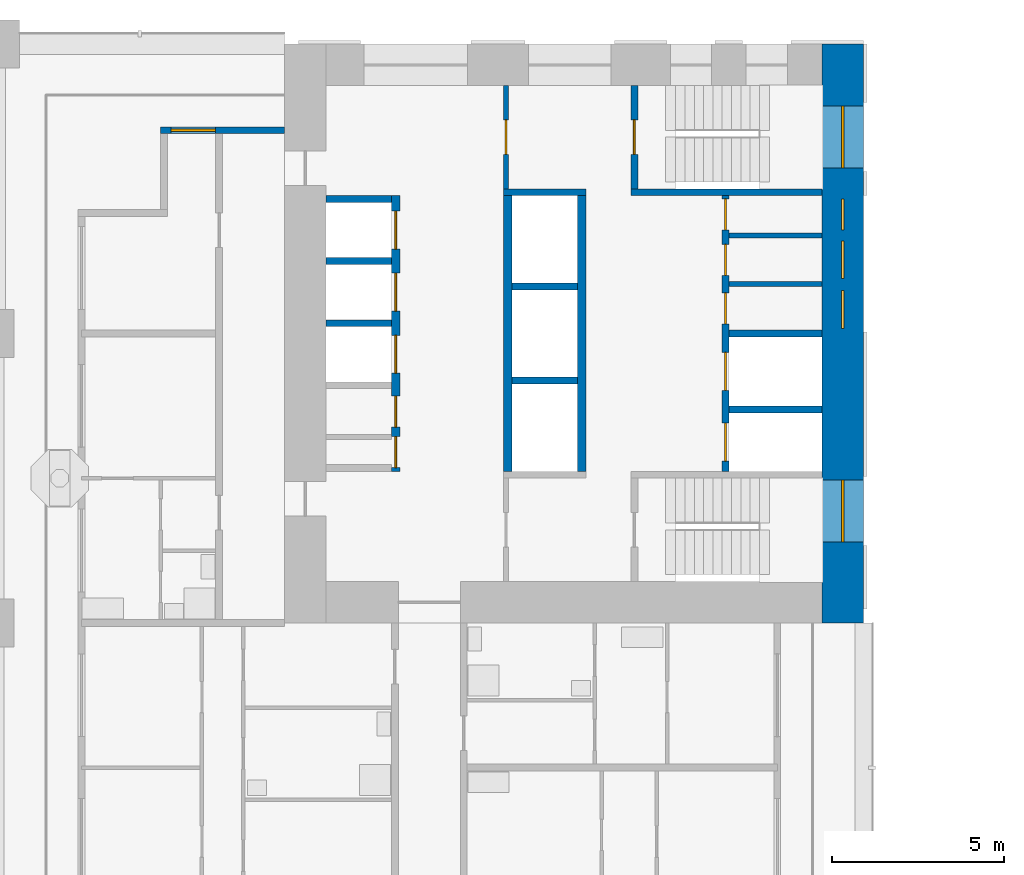
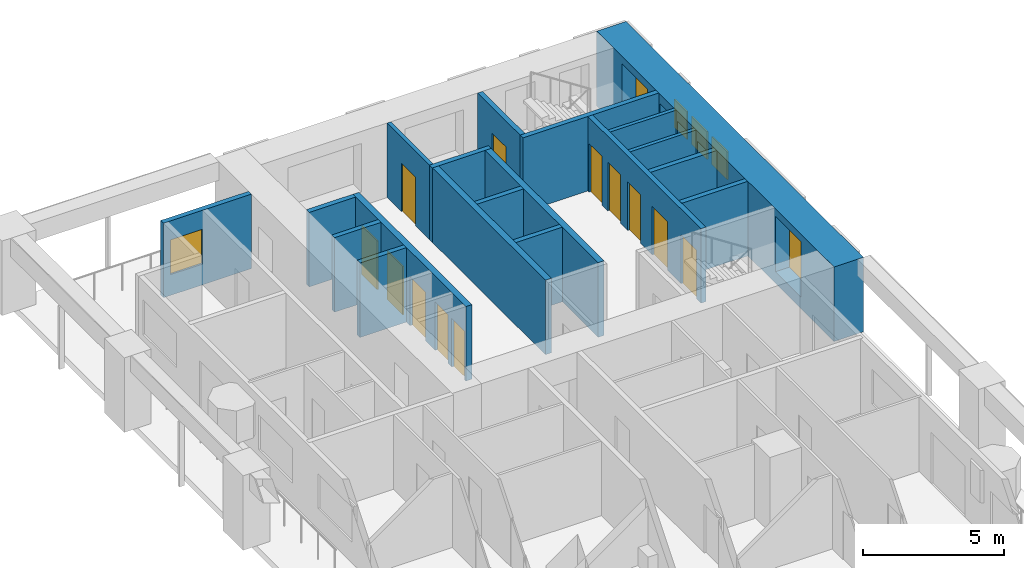
# One storey, part 10 of 22: 19 walls, 12 doors, 6 windows, 18 openings.
"""IFC4 building model written with IfcOpenShell, lengths in metres."""

from ifc_helpers import new_model, si_unit, direction, frame, frame_2d, origin, place, context, subcontext, project, spatial, rectangle, extrude, material, layer, layer_set, type_object, element, fill, save


model = new_model("IFC4")

# Units and contexts
model_context = context("Model", 3, precision=1e-05, world=origin(), true_north=direction((0.0, 1.0)))
body_context = subcontext(model_context, "Body", "Model", "MODEL_VIEW")
ifc_project = project(units=[si_unit("LENGTHUNIT", "METRE"), si_unit("AREAUNIT", "SQUARE_METRE"), si_unit("VOLUMEUNIT", "CUBIC_METRE"), si_unit("PLANEANGLEUNIT", "RADIAN"), si_unit("MASSUNIT", "GRAM", prefix="KILO")], contexts=[model_context])

# Site, building, storey
site_placement = place(None, origin())
site = spatial("IfcSite", under=ifc_project, at=site_placement, CompositionType="ELEMENT")
building_placement = place(site_placement, origin())
building = spatial("IfcBuilding", under=site, at=building_placement, Name="Vermilion Gate Residences", CompositionType="ELEMENT")
storey_placement = place(building_placement, frame((0.0, 0.0, 60.199951171875)))
storey = spatial("IfcBuildingStorey", under=building, at=storey_placement, Name="L14", CompositionType="ELEMENT", Elevation=60.199951171875)

# Walls
ifc_material_1 = material(Name="Masonry blockwork", Category="masonry")
ifc_layer_1 = layer(ifc_material_1, 0.14990234375)
ifc_layer_set_1 = layer_set([ifc_layer_1], Name="BLOCKWORK PARTITION 150 EI 120")
wall_type_1 = type_object("IfcWallType", Name="BLOCKWORK PARTITION 150 EI 120", PredefinedType="PARTITIONING", material=ifc_layer_set_1)
for number, where, z_axis, x_axis, name in (
    (1, (21.300048828125, 53.2451171875, 0.0), (0.0, 0.0, 1.0), (1.0, 0.0, 0.0), "Core room partition B14-NR-P0"),
    (2, (21.300048828125, 51.8349609375, 0.0), (0.0, 0.0, 1.0), (1.0, 0.0, 0.0), "Core room partition B14-NR-P1"),
):
    element("IfcWall", number, at=place(storey_placement, frame(where, z_axis=z_axis, x_axis=x_axis)), inside=storey, type_object=wall_type_1, Name=name, PredefinedType="PARTITIONING", context=body_context, shape_type="SweptSolid", body=[
        extrude(rectangle(XDim=2.699951171875, YDim=0.14990234375, at=frame_2d((1.35009765625, 0.0))), origin(), (0.0, 0.0, 1.0), 3.219970703125),
    ])

# Wall, opening, door
wall_1_placement = place(storey_placement, frame((14.824951171875, 57.60009765625, 0.0), z_axis=(0.0, 0.0, 1.0), x_axis=(0.0, -1.0, 0.0)))
wall_1 = element("IfcWall", 3, at=wall_1_placement, inside=storey, type_object=wall_type_1, Name="Core room partition B14-VW-S", PredefinedType="PARTITIONING", context=body_context, shape_type="SweptSolid", body=[
    extrude(rectangle(XDim=3.0, YDim=0.14990234375, at=frame_2d((1.5, 0.0))), origin(), (0.0, 0.0, 1.0), 3.219970703125),
])
opening_1_placement = place(wall_1_placement, frame((1.0, 0.0, 0.0)))
opening_1 = element("IfcOpeningElement", 4, at=opening_1_placement, cuts=wall_1, Name="Opening DK14114", PredefinedType="OPENING", context=body_context, shape_type="SweptSolid", body=[
    extrude(rectangle(XDim=1.0, YDim=2.10009765625, at=frame_2d((0.5, 1.050048828125))), frame((0.0, 0.0849609375, 0.0), z_axis=(0.0, -1.0, 0.0), x_axis=(1.0, 0.0, 0.0)), (0.0, 0.0, 1.0), 0.169921875),
])
ifc_material_2 = material(Name="Steel", Category="steel")
door_type_1 = type_object("IfcDoorType", Name="FIRE DOOR FD60 1000 X 2100", OperationType="SINGLE_SWING_LEFT", PredefinedType="DOOR", material=ifc_material_2)
door_1_placement = place(opening_1_placement, frame((1.0, 0.0, 0.0), z_axis=(0.0, 0.0, 1.0), x_axis=(-1.0, 0.0, 0.0)))
door_1 = element("IfcDoor", 5, at=door_1_placement, inside=storey, type_object=door_type_1, Name="Stair vestibule door B14", OperationType="SINGLE_SWING_RIGHT", OverallHeight=2.10009765625, OverallWidth=1.0, PredefinedType="DOOR", context=body_context, shape_type="SweptSolid", body=[
    extrude(rectangle(XDim=1.0, YDim=2.10009765625, at=frame_2d((0.5, 1.050048828125))), frame((0.0, 0.02490234375, 0.0), z_axis=(0.0, -1.0, 0.0), x_axis=(1.0, 0.0, 0.0)), (0.0, 0.0, 1.0), 0.050048828125),
])
fill(opening_1, door_1)

# Wall, opening, window
ifc_material_3 = material(Name="Insulated steel stud wall with terracotta rainscreen", Category="masonry")
ifc_layer_2 = layer(ifc_material_3, 0.199951171875)
ifc_layer_set_2 = layer_set([ifc_layer_2], Name="EXTERNAL WALL 200 TERRACOTTA RAINSCREEN")
wall_type_2 = type_object("IfcWallType", Name="EXTERNAL WALL 200 TERRACOTTA RAINSCREEN", PredefinedType="SOLIDWALL", material=ifc_layer_set_2)
wall_2_placement = place(storey_placement, frame((8.39990234375, 56.300048828125, 0.0), z_axis=(0.0, 0.0, 1.0), x_axis=(-1.0, 0.0, 0.0)))
wall_2 = element("IfcWall", 6, at=wall_2_placement, inside=storey, type_object=wall_type_2, Name="External wall", PredefinedType="SOLIDWALL", context=body_context, shape_type="SweptSolid", body=[
    extrude(rectangle(XDim=3.599853515625, YDim=0.199951171875, at=frame_2d((1.7998046875, 0.0))), origin(), (0.0, 0.0, 1.0), 3.219970703125),
])
opening_2_placement = place(wall_2_placement, frame((2.0, 0.0, 0.89990234375)))
opening_2 = element("IfcOpeningElement", 7, at=opening_2_placement, cuts=wall_2, Name="Opening WE14001", PredefinedType="OPENING", context=body_context, shape_type="SweptSolid", body=[
    extrude(rectangle(XDim=1.300048828125, YDim=1.5, at=frame_2d((0.64990234375, 0.75))), frame((0.0, 0.10986328125, 0.0), z_axis=(0.0, -1.0, 0.0), x_axis=(1.0, 0.0, 0.0)), (0.0, 0.0, 1.0), 0.219970703125),
])
ifc_material_4 = material(Name="Aluminium and clear glass", Category="aluminium")
window_type_1 = type_object("IfcWindowType", Name="WINDOW 1300 X 1500", PartitioningType="SINGLE_PANEL", PredefinedType="WINDOW", material=ifc_material_4)
window_1_placement = place(opening_2_placement, origin())
window_1 = element("IfcWindow", 8, at=window_1_placement, inside=storey, type_object=window_type_1, Name="Window", OverallHeight=1.5, OverallWidth=1.300048828125, PartitioningType="SINGLE_PANEL", PredefinedType="WINDOW", context=body_context, shape_type="SweptSolid", body=[
    extrude(rectangle(XDim=1.300048828125, YDim=1.5, at=frame_2d((0.64990234375, 0.75))), frame((0.0, 0.030029296875, 0.0), z_axis=(0.0, -1.0, 0.0), x_axis=(1.0, 0.0, 0.0)), (0.0, 0.0, 1.0), 0.06005859375),
])
fill(opening_2, window_1)

# Walls
ifc_material_5 = material(Name="Concrete C60", Category="concrete")
ifc_layer_3 = layer(ifc_material_5, 0.199951171875)
ifc_layer_set_3 = layer_set([ifc_layer_3], Name="RC CORE INTERNAL WALL 200 C60")
wall_type_3 = type_object("IfcWallType", Name="RC CORE INTERNAL WALL 200 C60", PredefinedType="SHEAR", material=ifc_layer_set_3)
for number, where, z_axis, x_axis, name in (
    (9, (9.60009765625, 54.300048828125, 0.0), (0.0, 0.0, 1.0), (1.0, 0.0, 0.0), "Core internal wall B14-LR-D0"),
    (10, (9.60009765625, 52.5, 0.0), (0.0, 0.0, 1.0), (1.0, 0.0, 0.0), "Core internal wall B14-LR-D1"),
    (11, (9.60009765625, 50.699951171875, 0.0), (0.0, 0.0, 1.0), (1.0, 0.0, 0.0), "Core internal wall B14-LR-D2"),
    (12, (15.0, 51.7666015625, 0.0), (0.0, 0.0, 1.0), (1.0, 0.0, 0.0), "Core internal wall B14-HR-D1"),
    (13, (15.0, 49.033447265625, 0.0), (0.0, 0.0, 1.0), (1.0, 0.0, 0.0), "Core internal wall B14-HR-D2"),
):
    element("IfcWall", number, at=place(storey_placement, frame(where, z_axis=z_axis, x_axis=x_axis)), inside=storey, type_object=wall_type_3, Name=name, PredefinedType="SHEAR", context=body_context, shape_type="SweptSolid", body=[
        extrude(rectangle(XDim=1.89990234375, YDim=0.199951171875, at=frame_2d((0.949951171875, 0.0))), origin(), (0.0, 0.0, 1.0), 3.219970703125),
    ])
for number, where, z_axis, x_axis, name in (
    (14, (21.300048828125, 50.39990234375, 0.0), (0.0, 0.0, 1.0), (1.0, 0.0, 0.0), "Core internal wall B14-FF-D0"),
    (15, (21.300048828125, 48.199951171875, 0.0), (0.0, 0.0, 1.0), (1.0, 0.0, 0.0), "Core internal wall B14-FF-D1"),
):
    element("IfcWall", number, at=place(storey_placement, frame(where, z_axis=z_axis, x_axis=x_axis)), inside=storey, type_object=wall_type_3, Name=name, PredefinedType="SHEAR", context=body_context, shape_type="SweptSolid", body=[
        extrude(rectangle(XDim=2.699951171875, YDim=0.199951171875, at=frame_2d((1.35009765625, 0.0))), origin(), (0.0, 0.0, 1.0), 3.219970703125),
    ])

# Wall, openings, doors
wall_3_placement = place(storey_placement, frame((21.199951171875, 54.39990234375, 0.0), z_axis=(0.0, 0.0, 1.0), x_axis=(0.0, -1.0, 0.0)))
wall_3 = element("IfcWall", 16, at=wall_3_placement, inside=storey, type_object=wall_type_3, Name="Core internal wall B14-FF-F", PredefinedType="SHEAR", context=body_context, shape_type="SweptSolid", body=[
    extrude(rectangle(XDim=8.0, YDim=0.199951171875, at=frame_2d((4.0, 0.0))), origin(), (0.0, 0.0, 1.0), 3.219970703125),
])
opening_3_placement = place(wall_3_placement, frame((0.090087890625, 0.0, 0.0)))
opening_3 = element("IfcOpeningElement", 17, at=opening_3_placement, cuts=wall_3, Name="Opening DK14109", PredefinedType="OPENING", context=body_context, shape_type="SweptSolid", body=[
    extrude(rectangle(XDim=0.89990234375, YDim=2.10009765625, at=frame_2d((0.449951171875, 1.050048828125))), frame((0.0, 0.10986328125, 0.0), z_axis=(0.0, -1.0, 0.0), x_axis=(1.0, 0.0, 0.0)), (0.0, 0.0, 1.0), 0.219970703125),
])
opening_4_placement = place(wall_3_placement, frame((1.409912109375, 0.0, 0.0)))
opening_4 = element("IfcOpeningElement", 18, at=opening_4_placement, cuts=wall_3, Name="Opening DK14110", PredefinedType="OPENING", context=body_context, shape_type="SweptSolid", body=[
    extrude(rectangle(XDim=0.89990234375, YDim=2.10009765625, at=frame_2d((0.449951171875, 1.050048828125))), frame((0.0, 0.10986328125, 0.0), z_axis=(0.0, -1.0, 0.0), x_axis=(1.0, 0.0, 0.0)), (0.0, 0.0, 1.0), 0.219970703125),
])
opening_5_placement = place(wall_3_placement, frame((2.820068359375, 0.0, 0.0)))
opening_5 = element("IfcOpeningElement", 19, at=opening_5_placement, cuts=wall_3, Name="Opening DK14111", PredefinedType="OPENING", context=body_context, shape_type="SweptSolid", body=[
    extrude(rectangle(XDim=0.89990234375, YDim=2.10009765625, at=frame_2d((0.449951171875, 1.050048828125))), frame((0.0, 0.10986328125, 0.0), z_axis=(0.0, -1.0, 0.0), x_axis=(1.0, 0.0, 0.0)), (0.0, 0.0, 1.0), 0.219970703125),
])
opening_6_placement = place(wall_3_placement, frame((4.550048828125, 0.0, 0.0)))
opening_6 = element("IfcOpeningElement", 20, at=opening_6_placement, cuts=wall_3, Name="Opening LD", PredefinedType="OPENING", context=body_context, shape_type="SweptSolid", body=[
    extrude(rectangle(XDim=1.10009765625, YDim=2.10009765625, at=frame_2d((0.550048828125, 1.050048828125))), frame((0.0, 0.10986328125, 0.0), z_axis=(0.0, -1.0, 0.0), x_axis=(1.0, 0.0, 0.0)), (0.0, 0.0, 1.0), 0.219970703125),
])
opening_7_placement = place(wall_3_placement, frame((6.60009765625, 0.0, 0.0)))
opening_7 = element("IfcOpeningElement", 21, at=opening_7_placement, cuts=wall_3, Name="Opening LD", PredefinedType="OPENING", context=body_context, shape_type="SweptSolid", body=[
    extrude(rectangle(XDim=1.10009765625, YDim=2.10009765625, at=frame_2d((0.550048828125, 1.050048828125))), frame((0.0, 0.10986328125, 0.0), z_axis=(0.0, -1.0, 0.0), x_axis=(1.0, 0.0, 0.0)), (0.0, 0.0, 1.0), 0.219970703125),
])
ifc_material_6 = material(Name="Stainless steel", Category="steel")
door_type_2 = type_object("IfcDoorType", Name="LIFT LANDING DOOR E60 1100 X 2100", OperationType="DOUBLE_DOOR_SLIDING", PredefinedType="DOOR", material=ifc_material_6)
door_2_placement = place(opening_6_placement, origin())
door_2 = element("IfcDoor", 22, at=door_2_placement, inside=storey, type_object=door_type_2, Name="Lift landing door LFB1", OperationType="DOUBLE_DOOR_SLIDING", OverallHeight=2.10009765625, OverallWidth=1.10009765625, PredefinedType="DOOR", context=body_context, shape_type="SweptSolid", body=[
    extrude(rectangle(XDim=1.10009765625, YDim=2.10009765625, at=frame_2d((0.550048828125, 1.050048828125))), frame((0.0, 0.02490234375, 0.0), z_axis=(0.0, -1.0, 0.0), x_axis=(1.0, 0.0, 0.0)), (0.0, 0.0, 1.0), 0.050048828125),
])
fill(opening_6, door_2)
door_3_placement = place(opening_7_placement, origin())
door_3 = element("IfcDoor", 23, at=door_3_placement, inside=storey, type_object=door_type_2, Name="Lift landing door LCB1", OperationType="DOUBLE_DOOR_SLIDING", OverallHeight=2.10009765625, OverallWidth=1.10009765625, PredefinedType="DOOR", context=body_context, shape_type="SweptSolid", body=[
    extrude(rectangle(XDim=1.10009765625, YDim=2.10009765625, at=frame_2d((0.550048828125, 1.050048828125))), frame((0.0, 0.02490234375, 0.0), z_axis=(0.0, -1.0, 0.0), x_axis=(1.0, 0.0, 0.0)), (0.0, 0.0, 1.0), 0.050048828125),
])
fill(opening_7, door_3)
ifc_material_7 = material(Name="Steel", Category="steel")
door_type_3 = type_object("IfcDoorType", Name="SERVICE ROOM DOOR FD60 900 X 2100", OperationType="SINGLE_SWING_LEFT", PredefinedType="DOOR", material=ifc_material_7)
door_4_placement = place(opening_3_placement, origin())
door_4 = element("IfcDoor", 24, at=door_4_placement, inside=storey, type_object=door_type_3, Name="Housekeeping store B14", OperationType="SINGLE_SWING_RIGHT", OverallHeight=2.10009765625, OverallWidth=0.89990234375, PredefinedType="DOOR", context=body_context, shape_type="SweptSolid", body=[
    extrude(rectangle(XDim=0.89990234375, YDim=2.10009765625, at=frame_2d((0.449951171875, 1.050048828125))), frame((0.0, 0.02490234375, 0.0), z_axis=(0.0, -1.0, 0.0), x_axis=(1.0, 0.0, 0.0)), (0.0, 0.0, 1.0), 0.050048828125),
])
fill(opening_3, door_4)
door_5_placement = place(opening_4_placement, origin())
door_5 = element("IfcDoor", 25, at=door_5_placement, inside=storey, type_object=door_type_3, Name="Mail room B14", OperationType="SINGLE_SWING_LEFT", OverallHeight=2.10009765625, OverallWidth=0.89990234375, PredefinedType="DOOR", context=body_context, shape_type="SweptSolid", body=[
    extrude(rectangle(XDim=0.89990234375, YDim=2.10009765625, at=frame_2d((0.449951171875, 1.050048828125))), frame((0.0, 0.02490234375, 0.0), z_axis=(0.0, -1.0, 0.0), x_axis=(1.0, 0.0, 0.0)), (0.0, 0.0, 1.0), 0.050048828125),
])
fill(opening_4, door_5)
door_6_placement = place(opening_5_placement, origin())
door_6 = element("IfcDoor", 26, at=door_6_placement, inside=storey, type_object=door_type_3, Name="Electrical riser B14", OperationType="SINGLE_SWING_LEFT", OverallHeight=2.10009765625, OverallWidth=0.89990234375, PredefinedType="DOOR", context=body_context, shape_type="SweptSolid", body=[
    extrude(rectangle(XDim=0.89990234375, YDim=2.10009765625, at=frame_2d((0.449951171875, 1.050048828125))), frame((0.0, 0.02490234375, 0.0), z_axis=(0.0, -1.0, 0.0), x_axis=(1.0, 0.0, 0.0)), (0.0, 0.0, 1.0), 0.050048828125),
])
fill(opening_5, door_6)

# Walls
wall_4_placement = place(storey_placement, frame((14.75, 54.5, 0.0), z_axis=(0.0, 0.0, 1.0), x_axis=(1.0, 0.0, 0.0)))
element("IfcWall", 27, at=wall_4_placement, inside=storey, type_object=wall_type_3, Name="Core internal wall B14-WDIV1", PredefinedType="SHEAR", context=body_context, shape_type="SweptSolid", body=[
    extrude(rectangle(XDim=2.39990234375, YDim=0.199951171875, at=frame_2d((1.199951171875, 0.0))), origin(), (0.0, 0.0, 1.0), 3.219970703125),
])
wall_5_placement = place(storey_placement, frame((18.449951171875, 54.5, 0.0), z_axis=(0.0, 0.0, 1.0), x_axis=(1.0, 0.0, 0.0)))
element("IfcWall", 28, at=wall_5_placement, inside=storey, type_object=wall_type_3, Name="Core internal wall B14-WDIV2", PredefinedType="SHEAR", context=body_context, shape_type="SweptSolid", body=[
    extrude(rectangle(XDim=5.550048828125, YDim=0.199951171875, at=frame_2d((2.77490234375, 0.0))), origin(), (0.0, 0.0, 1.0), 3.219970703125),
])

# Wall, opening, door
wall_6_placement = place(storey_placement, frame((18.550048828125, 57.60009765625, 0.0), z_axis=(0.0, 0.0, 1.0), x_axis=(0.0, -1.0, 0.0)))
wall_6 = element("IfcWall", 29, at=wall_6_placement, inside=storey, type_object=wall_type_3, Name="Core internal wall B14-STW-S", PredefinedType="SHEAR", context=body_context, shape_type="SweptSolid", body=[
    extrude(rectangle(XDim=3.0, YDim=0.199951171875, at=frame_2d((1.5, 0.0))), origin(), (0.0, 0.0, 1.0), 3.219970703125),
])
opening_8_placement = place(wall_6_placement, frame((1.0, 0.0, 0.0)))
opening_8 = element("IfcOpeningElement", 30, at=opening_8_placement, cuts=wall_6, Name="Opening DK14115", PredefinedType="OPENING", context=body_context, shape_type="SweptSolid", body=[
    extrude(rectangle(XDim=1.0, YDim=2.10009765625, at=frame_2d((0.5, 1.050048828125))), frame((0.0, 0.10986328125, 0.0), z_axis=(0.0, -1.0, 0.0), x_axis=(1.0, 0.0, 0.0)), (0.0, 0.0, 1.0), 0.219970703125),
])
door_7_placement = place(opening_8_placement, origin())
door_7 = element("IfcDoor", 31, at=door_7_placement, inside=storey, type_object=door_type_1, Name="Stair door B14", OperationType="SINGLE_SWING_LEFT", OverallHeight=2.10009765625, OverallWidth=1.0, PredefinedType="DOOR", context=body_context, shape_type="SweptSolid", body=[
    extrude(rectangle(XDim=1.0, YDim=2.10009765625, at=frame_2d((0.5, 1.050048828125))), frame((0.0, 0.02490234375, 0.0), z_axis=(0.0, -1.0, 0.0), x_axis=(1.0, 0.0, 0.0)), (0.0, 0.0, 1.0), 0.050048828125),
])
fill(opening_8, door_7)

# Wall, openings, windows
ifc_material_8 = material(Name="Concrete C80 red-oxide pigmented", Category="concrete")
ifc_layer_4 = layer(ifc_material_8, 1.199951171875)
ifc_layer_set_4 = layer_set([ifc_layer_4], Name="RC CORE WALL 1200 C80 RED OXIDE")
wall_type_4 = type_object("IfcWallType", Name="RC CORE WALL 1200 C80 RED OXIDE", PredefinedType="SHEAR", material=ifc_layer_set_4)
wall_7_placement = place(storey_placement, frame((24.60009765625, 58.800048828125, 0.0), z_axis=(0.0, 0.0, 1.0), x_axis=(0.0, -1.0, 0.0)))
wall_7 = element("IfcWall", 32, at=wall_7_placement, inside=storey, type_object=wall_type_4, Name="Core wall B14-OUT-B1", PredefinedType="SHEAR", context=body_context, shape_type="SweptSolid", body=[
    extrude(rectangle(XDim=16.800048828125, YDim=1.199951171875, at=frame_2d((8.39990234375, 0.0))), origin(), (0.0, 0.0, 1.0), 3.219970703125),
])
opening_9_placement = place(wall_7_placement, frame((1.800048828125, 0.0, 0.5)))
opening_9 = element("IfcOpeningElement", 33, at=opening_9_placement, cuts=wall_7, Name="Opening WKB1401", PredefinedType="OPENING", context=body_context, shape_type="SweptSolid", body=[
    extrude(rectangle(XDim=1.800048828125, YDim=2.39990234375, at=frame_2d((0.89990234375, 1.199951171875))), frame((0.0, 0.60986328125, 0.0), z_axis=(0.0, -1.0, 0.0), x_axis=(1.0, 0.0, 0.0)), (0.0, 0.0, 1.0), 1.219970703125),
])
opening_10_placement = place(wall_7_placement, frame((4.489990234375, 0.0, 1.60009765625)))
opening_10 = element("IfcOpeningElement", 34, at=opening_10_placement, cuts=wall_7, Name="Opening WKB1402", PredefinedType="OPENING", context=body_context, shape_type="SweptSolid", body=[
    extrude(rectangle(XDim=0.89990234375, YDim=1.199951171875, at=frame_2d((0.449951171875, 0.60009765625))), frame((0.0, 0.60986328125, 0.0), z_axis=(0.0, -1.0, 0.0), x_axis=(1.0, 0.0, 0.0)), (0.0, 0.0, 1.0), 1.219970703125),
])
opening_11_placement = place(wall_7_placement, frame((5.7099609375, 0.0, 1.60009765625)))
opening_11 = element("IfcOpeningElement", 35, at=opening_11_placement, cuts=wall_7, Name="Opening WKB1403", PredefinedType="OPENING", context=body_context, shape_type="SweptSolid", body=[
    extrude(rectangle(XDim=1.10009765625, YDim=1.199951171875, at=frame_2d((0.550048828125, 0.60009765625))), frame((0.0, 0.60986328125, 0.0), z_axis=(0.0, -1.0, 0.0), x_axis=(1.0, 0.0, 0.0)), (0.0, 0.0, 1.0), 1.219970703125),
])
opening_12_placement = place(wall_7_placement, frame((7.14990234375, 0.0, 1.60009765625)))
opening_12 = element("IfcOpeningElement", 36, at=opening_12_placement, cuts=wall_7, Name="Opening WKB1404", PredefinedType="OPENING", context=body_context, shape_type="SweptSolid", body=[
    extrude(rectangle(XDim=1.10009765625, YDim=1.199951171875, at=frame_2d((0.550048828125, 0.60009765625))), frame((0.0, 0.60986328125, 0.0), z_axis=(0.0, -1.0, 0.0), x_axis=(1.0, 0.0, 0.0)), (0.0, 0.0, 1.0), 1.219970703125),
])
opening_13_placement = place(wall_7_placement, frame((12.64990234375, 0.0, 0.5)))
opening_13 = element("IfcOpeningElement", 37, at=opening_13_placement, cuts=wall_7, Name="Opening WKB1405", PredefinedType="OPENING", context=body_context, shape_type="SweptSolid", body=[
    extrude(rectangle(XDim=1.800048828125, YDim=2.39990234375, at=frame_2d((0.89990234375, 1.199951171875))), frame((0.0, 0.60986328125, 0.0), z_axis=(0.0, -1.0, 0.0), x_axis=(1.0, 0.0, 0.0)), (0.0, 0.0, 1.0), 1.219970703125),
])
ifc_material_9 = material(Name="Aluminium frame with louvre blades", Category="aluminium")
window_type_2 = type_object("IfcWindowType", Name="CORE LOUVRE 1100 X 1200", PartitioningType="SINGLE_PANEL", PredefinedType="WINDOW", material=ifc_material_9)
window_2_placement = place(opening_11_placement, origin())
window_2 = element("IfcWindow", 38, at=window_2_placement, inside=storey, type_object=window_type_2, Name="Core louvre", OverallHeight=1.199951171875, OverallWidth=1.10009765625, PartitioningType="SINGLE_PANEL", PredefinedType="WINDOW", context=body_context, shape_type="SweptSolid", body=[
    extrude(rectangle(XDim=1.10009765625, YDim=1.199951171875, at=frame_2d((0.550048828125, 0.60009765625))), frame((0.0, 0.030029296875, 0.0), z_axis=(0.0, -1.0, 0.0), x_axis=(1.0, 0.0, 0.0)), (0.0, 0.0, 1.0), 0.06005859375),
])
fill(opening_11, window_2)
window_3_placement = place(opening_12_placement, origin())
window_3 = element("IfcWindow", 39, at=window_3_placement, inside=storey, type_object=window_type_2, Name="Core louvre", OverallHeight=1.199951171875, OverallWidth=1.10009765625, PartitioningType="SINGLE_PANEL", PredefinedType="WINDOW", context=body_context, shape_type="SweptSolid", body=[
    extrude(rectangle(XDim=1.10009765625, YDim=1.199951171875, at=frame_2d((0.550048828125, 0.60009765625))), frame((0.0, 0.030029296875, 0.0), z_axis=(0.0, -1.0, 0.0), x_axis=(1.0, 0.0, 0.0)), (0.0, 0.0, 1.0), 0.06005859375),
])
fill(opening_12, window_3)
ifc_material_10 = material(Name="Aluminium frame with louvre blades", Category="aluminium")
window_type_3 = type_object("IfcWindowType", Name="CORE LOUVRE 900 X 1200", PartitioningType="SINGLE_PANEL", PredefinedType="WINDOW", material=ifc_material_10)
window_4_placement = place(opening_10_placement, origin())
window_4 = element("IfcWindow", 40, at=window_4_placement, inside=storey, type_object=window_type_3, Name="Core louvre", OverallHeight=1.199951171875, OverallWidth=0.89990234375, PartitioningType="SINGLE_PANEL", PredefinedType="WINDOW", context=body_context, shape_type="SweptSolid", body=[
    extrude(rectangle(XDim=0.89990234375, YDim=1.199951171875, at=frame_2d((0.449951171875, 0.60009765625))), frame((0.0, 0.030029296875, 0.0), z_axis=(0.0, -1.0, 0.0), x_axis=(1.0, 0.0, 0.0)), (0.0, 0.0, 1.0), 0.06005859375),
])
fill(opening_10, window_4)
ifc_material_11 = material(Name="Aluminium and clear glass", Category="aluminium")
window_type_4 = type_object("IfcWindowType", Name="CORE STAIR WINDOW 1800 X 2400", PartitioningType="SINGLE_PANEL", PredefinedType="WINDOW", material=ifc_material_11)
window_5_placement = place(opening_9_placement, origin())
window_5 = element("IfcWindow", 41, at=window_5_placement, inside=storey, type_object=window_type_4, Name="Core stair window", OverallHeight=2.39990234375, OverallWidth=1.800048828125, PartitioningType="SINGLE_PANEL", PredefinedType="WINDOW", context=body_context, shape_type="SweptSolid", body=[
    extrude(rectangle(XDim=1.800048828125, YDim=2.39990234375, at=frame_2d((0.89990234375, 1.199951171875))), frame((0.0, 0.030029296875, 0.0), z_axis=(0.0, -1.0, 0.0), x_axis=(1.0, 0.0, 0.0)), (0.0, 0.0, 1.0), 0.06005859375),
])
fill(opening_9, window_5)
window_6_placement = place(opening_13_placement, origin())
window_6 = element("IfcWindow", 42, at=window_6_placement, inside=storey, type_object=window_type_4, Name="Core stair window", OverallHeight=2.39990234375, OverallWidth=1.800048828125, PartitioningType="SINGLE_PANEL", PredefinedType="WINDOW", context=body_context, shape_type="SweptSolid", body=[
    extrude(rectangle(XDim=1.800048828125, YDim=2.39990234375, at=frame_2d((0.89990234375, 1.199951171875))), frame((0.0, 0.030029296875, 0.0), z_axis=(0.0, -1.0, 0.0), x_axis=(1.0, 0.0, 0.0)), (0.0, 0.0, 1.0), 0.06005859375),
])
fill(opening_13, window_6)

# Wall, openings, doors
ifc_material_12 = material(Name="Concrete C60", Category="concrete")
ifc_layer_5 = layer(ifc_material_12, 0.25)
ifc_layer_set_5 = layer_set([ifc_layer_5], Name="RC LIFT SHAFT WALL 250 C60")
wall_type_5 = type_object("IfcWallType", Name="RC LIFT SHAFT WALL 250 C60", PredefinedType="SHEAR", material=ifc_layer_set_5)
wall_8_placement = place(storey_placement, frame((11.625, 54.39990234375, 0.0), z_axis=(0.0, 0.0, 1.0), x_axis=(0.0, -1.0, 0.0)))
wall_8 = element("IfcWall", 43, at=wall_8_placement, inside=storey, type_object=wall_type_5, Name="Lift shaft wall B14-LR-F", PredefinedType="SHEAR", context=body_context, shape_type="SweptSolid", body=[
    extrude(rectangle(XDim=8.0, YDim=0.25, at=frame_2d((4.0, 0.0))), origin(), (0.0, 0.0, 1.0), 3.219970703125),
])
opening_14_placement = place(wall_8_placement, frame((0.449951171875, 0.0, 0.0)))
opening_14 = element("IfcOpeningElement", 44, at=opening_14_placement, cuts=wall_8, Name="Opening LD", PredefinedType="OPENING", context=body_context, shape_type="SweptSolid", body=[
    extrude(rectangle(XDim=1.10009765625, YDim=2.10009765625, at=frame_2d((0.550048828125, 1.050048828125))), frame((0.0, 0.135009765625, 0.0), z_axis=(0.0, -1.0, 0.0), x_axis=(1.0, 0.0, 0.0)), (0.0, 0.0, 1.0), 0.27001953125),
])
opening_15_placement = place(wall_8_placement, frame((2.25, 0.0, 0.0)))
opening_15 = element("IfcOpeningElement", 45, at=opening_15_placement, cuts=wall_8, Name="Opening LD", PredefinedType="OPENING", context=body_context, shape_type="SweptSolid", body=[
    extrude(rectangle(XDim=1.10009765625, YDim=2.10009765625, at=frame_2d((0.550048828125, 1.050048828125))), frame((0.0, 0.135009765625, 0.0), z_axis=(0.0, -1.0, 0.0), x_axis=(1.0, 0.0, 0.0)), (0.0, 0.0, 1.0), 0.27001953125),
])
opening_16_placement = place(wall_8_placement, frame((4.050048828125, 0.0, 0.0)))
opening_16 = element("IfcOpeningElement", 46, at=opening_16_placement, cuts=wall_8, Name="Opening LD", PredefinedType="OPENING", context=body_context, shape_type="SweptSolid", body=[
    extrude(rectangle(XDim=1.10009765625, YDim=2.10009765625, at=frame_2d((0.550048828125, 1.050048828125))), frame((0.0, 0.135009765625, 0.0), z_axis=(0.0, -1.0, 0.0), x_axis=(1.0, 0.0, 0.0)), (0.0, 0.0, 1.0), 0.27001953125),
])
opening_17_placement = place(wall_8_placement, frame((5.816162109375, 0.0, 0.0)))
opening_17 = element("IfcOpeningElement", 47, at=opening_17_placement, cuts=wall_8, Name="Opening DK14107", PredefinedType="OPENING", context=body_context, shape_type="SweptSolid", body=[
    extrude(rectangle(XDim=0.89990234375, YDim=2.10009765625, at=frame_2d((0.449951171875, 1.050048828125))), frame((0.0, 0.135009765625, 0.0), z_axis=(0.0, -1.0, 0.0), x_axis=(1.0, 0.0, 0.0)), (0.0, 0.0, 1.0), 0.27001953125),
])
opening_18_placement = place(wall_8_placement, frame((6.9912109375, 0.0, 0.0)))
opening_18 = element("IfcOpeningElement", 48, at=opening_18_placement, cuts=wall_8, Name="Opening DK14108", PredefinedType="OPENING", context=body_context, shape_type="SweptSolid", body=[
    extrude(rectangle(XDim=0.89990234375, YDim=2.10009765625, at=frame_2d((0.449951171875, 1.050048828125))), frame((0.0, 0.135009765625, 0.0), z_axis=(0.0, -1.0, 0.0), x_axis=(1.0, 0.0, 0.0)), (0.0, 0.0, 1.0), 0.27001953125),
])
door_8_placement = place(opening_14_placement, origin())
door_8 = element("IfcDoor", 49, at=door_8_placement, inside=storey, type_object=door_type_2, Name="Lift landing door LRB1", OperationType="DOUBLE_DOOR_SLIDING", OverallHeight=2.10009765625, OverallWidth=1.10009765625, PredefinedType="DOOR", context=body_context, shape_type="SweptSolid", body=[
    extrude(rectangle(XDim=1.10009765625, YDim=2.10009765625, at=frame_2d((0.550048828125, 1.050048828125))), frame((0.0, 0.02490234375, 0.0), z_axis=(0.0, -1.0, 0.0), x_axis=(1.0, 0.0, 0.0)), (0.0, 0.0, 1.0), 0.050048828125),
])
fill(opening_14, door_8)
door_9_placement = place(opening_15_placement, origin())
door_9 = element("IfcDoor", 50, at=door_9_placement, inside=storey, type_object=door_type_2, Name="Lift landing door LRB2", OperationType="DOUBLE_DOOR_SLIDING", OverallHeight=2.10009765625, OverallWidth=1.10009765625, PredefinedType="DOOR", context=body_context, shape_type="SweptSolid", body=[
    extrude(rectangle(XDim=1.10009765625, YDim=2.10009765625, at=frame_2d((0.550048828125, 1.050048828125))), frame((0.0, 0.02490234375, 0.0), z_axis=(0.0, -1.0, 0.0), x_axis=(1.0, 0.0, 0.0)), (0.0, 0.0, 1.0), 0.050048828125),
])
fill(opening_15, door_9)
door_10_placement = place(opening_16_placement, origin())
door_10 = element("IfcDoor", 51, at=door_10_placement, inside=storey, type_object=door_type_2, Name="Lift landing door LRB3", OperationType="DOUBLE_DOOR_SLIDING", OverallHeight=2.10009765625, OverallWidth=1.10009765625, PredefinedType="DOOR", context=body_context, shape_type="SweptSolid", body=[
    extrude(rectangle(XDim=1.10009765625, YDim=2.10009765625, at=frame_2d((0.550048828125, 1.050048828125))), frame((0.0, 0.02490234375, 0.0), z_axis=(0.0, -1.0, 0.0), x_axis=(1.0, 0.0, 0.0)), (0.0, 0.0, 1.0), 0.050048828125),
])
fill(opening_16, door_10)
door_11_placement = place(opening_17_placement, origin())
door_11 = element("IfcDoor", 52, at=door_11_placement, inside=storey, type_object=door_type_3, Name="Electrical room B14", OperationType="SINGLE_SWING_LEFT", OverallHeight=2.10009765625, OverallWidth=0.89990234375, PredefinedType="DOOR", context=body_context, shape_type="SweptSolid", body=[
    extrude(rectangle(XDim=0.89990234375, YDim=2.10009765625, at=frame_2d((0.449951171875, 1.050048828125))), frame((0.0, 0.02490234375, 0.0), z_axis=(0.0, -1.0, 0.0), x_axis=(1.0, 0.0, 0.0)), (0.0, 0.0, 1.0), 0.050048828125),
])
fill(opening_17, door_11)
door_12_placement = place(opening_18_placement, origin())
door_12 = element("IfcDoor", 53, at=door_12_placement, inside=storey, type_object=door_type_3, Name="Communications room B14", OperationType="SINGLE_SWING_LEFT", OverallHeight=2.10009765625, OverallWidth=0.89990234375, PredefinedType="DOOR", context=body_context, shape_type="SweptSolid", body=[
    extrude(rectangle(XDim=0.89990234375, YDim=2.10009765625, at=frame_2d((0.449951171875, 1.050048828125))), frame((0.0, 0.02490234375, 0.0), z_axis=(0.0, -1.0, 0.0), x_axis=(1.0, 0.0, 0.0)), (0.0, 0.0, 1.0), 0.050048828125),
])
fill(opening_18, door_12)

# Walls
for number, where, z_axis, x_axis, name in (
    (54, (14.875, 54.39990234375, 0.0), (0.0, 0.0, 1.0), (0.0, -1.0, 0.0), "Lift shaft wall B14-HR-F"),
    (55, (17.02490234375, 54.39990234375, 0.0), (0.0, 0.0, 1.0), (0.0, -1.0, 0.0), "Lift shaft wall B14-HR-B"),
):
    element("IfcWall", number, at=place(storey_placement, frame(where, z_axis=z_axis, x_axis=x_axis)), inside=storey, type_object=wall_type_5, Name=name, PredefinedType="SHEAR", context=body_context, shape_type="SweptSolid", body=[
        extrude(rectangle(XDim=8.0, YDim=0.25, at=frame_2d((4.0, 0.0))), origin(), (0.0, 0.0, 1.0), 3.219970703125),
    ])

save(model, "model.ifc")
